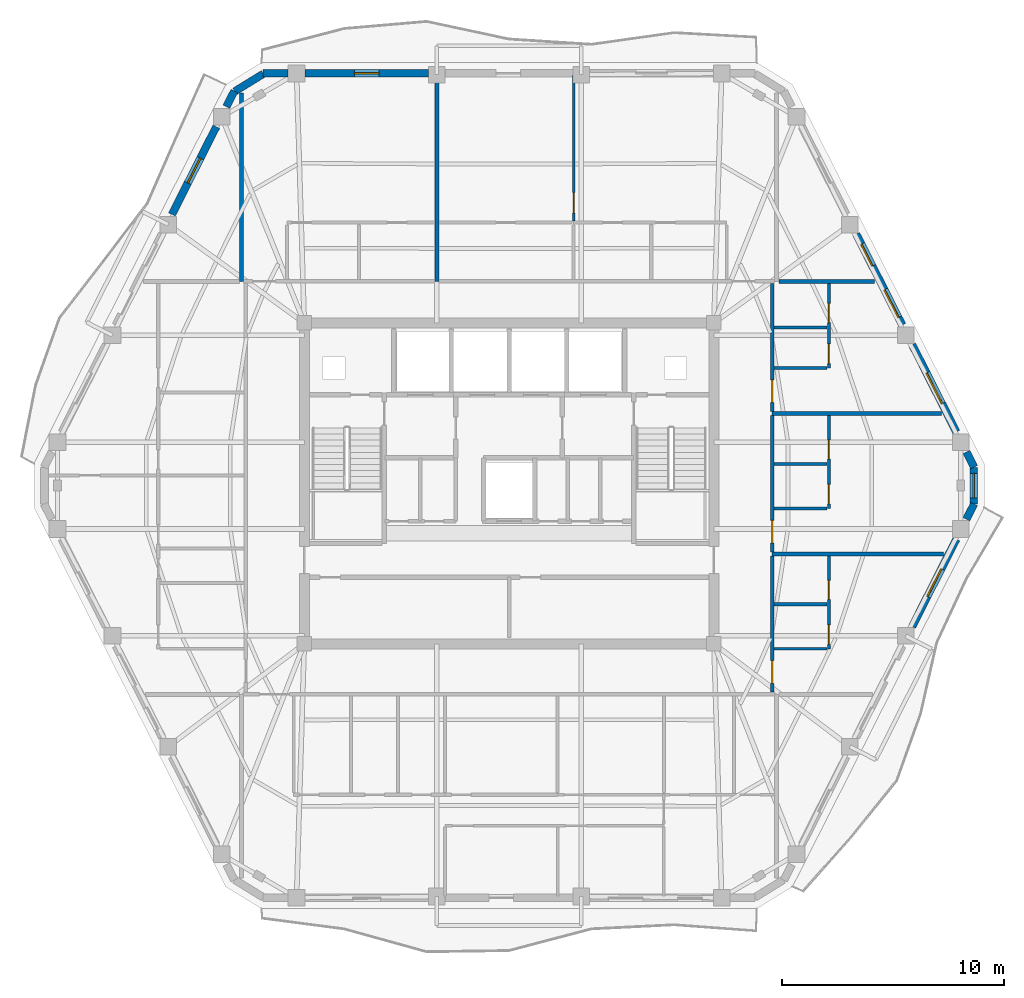
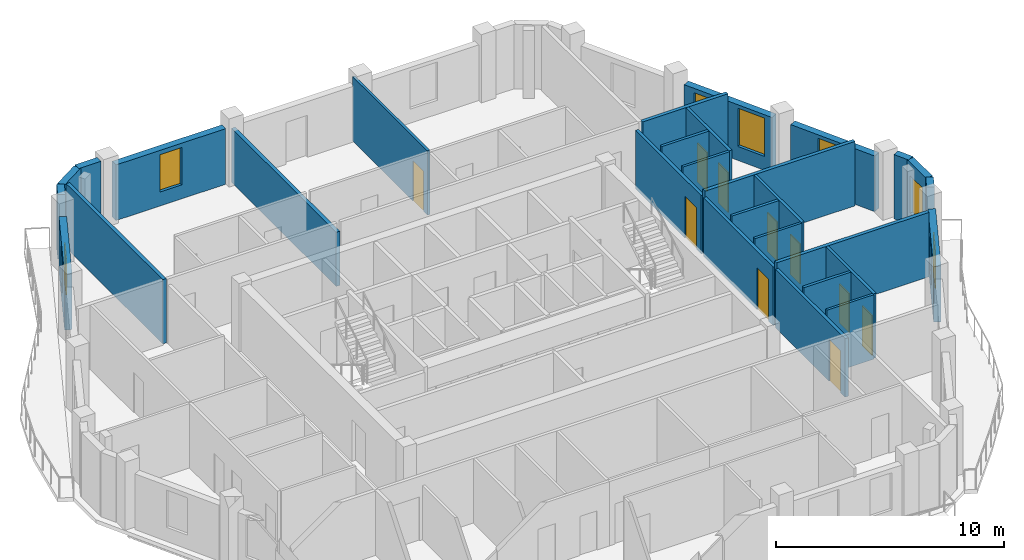
# One storey, part 7 of 11: 29 walls, 10 doors, 7 windows, 17 openings.
"""IFC4 building model written with IfcOpenShell, lengths in metres."""

from ifc_helpers import new_model, si_unit, direction, frame, frame_2d, origin, place, context, subcontext, project, spatial, rectangle, extrude, material, layer, layer_set, type_object, element, fill, save


model = new_model("IFC4")

# Units and contexts
model_context = context("Model", 3, precision=1e-05, world=origin(), true_north=direction((0.0, 1.0)))
body_context = subcontext(model_context, "Body", "Model", "MODEL_VIEW")
ifc_project = project(units=[si_unit("LENGTHUNIT", "METRE"), si_unit("AREAUNIT", "SQUARE_METRE"), si_unit("VOLUMEUNIT", "CUBIC_METRE"), si_unit("PLANEANGLEUNIT", "RADIAN"), si_unit("MASSUNIT", "GRAM", prefix="KILO")], contexts=[model_context])

# Site, building, storey
site_placement = place(None, origin())
site = spatial("IfcSite", under=ifc_project, at=site_placement, CompositionType="ELEMENT")
building_placement = place(site_placement, origin())
building = spatial("IfcBuilding", under=site, at=building_placement, Name="Cinnabar Lancet Tower", CompositionType="ELEMENT")
storey_placement = place(building_placement, frame((0.0, 0.0, 248.89990234375)))
storey = spatial("IfcBuildingStorey", under=building, at=storey_placement, Name="L66", CompositionType="ELEMENT", Elevation=248.89990234375)

# Wall, opening, door
ifc_material_1 = material(Name="Acoustic twin-stud gypsum partition", Category="gypsum")
ifc_layer_1 = layer(ifc_material_1, 0.159912109375)
ifc_layer_set_1 = layer_set([ifc_layer_1], Name="Acoustic twin-stud gypsum partition")
wall_type_1 = type_object("IfcWallType", Name="ARC-WL-CORR-160", PredefinedType="PARTITIONING", material=ifc_layer_set_1)
wall_1_placement = place(storey_placement, frame((44.25, 16.4951171875, 0.0), z_axis=(0.0, 0.0, 1.0), x_axis=(0.0, 1.0, 0.0)))
wall_1 = element("IfcWall", 1, at=wall_1_placement, inside=storey, type_object=wall_type_1, Name="UW-L66-E01-COR", PredefinedType="PARTITIONING", context=body_context, shape_type="SweptSolid", body=[
    extrude(rectangle(XDim=6.1337890625, YDim=0.159912109375, at=frame_2d((3.06689453125, 0.0))), origin(), (0.0, 0.0, 1.0), 3.13720703125),
])
opening_1_placement = place(wall_1_placement, frame((0.39990234375, 0.0, 0.0)))
opening_1 = element("IfcOpeningElement", 2, at=opening_1_placement, cuts=wall_1, Name="Opening UD-01", PredefinedType="OPENING", context=body_context, shape_type="SweptSolid", body=[
    extrude(rectangle(XDim=1.02001953125, YDim=2.25, at=frame_2d((0.510009765625, 1.125))), frame((0.0, 0.08984375, 0.0), z_axis=(0.0, -1.0, 0.0), x_axis=(1.0, 0.0, 0.0)), (0.0, 0.0, 1.0), 0.179931640625),
])
ifc_material_2 = material(Name="Solid timber fire-rated apartment entrance door", Category="wood")
door_type_1 = type_object("IfcDoorType", Name="ARC-DR-UNIT", OperationType="NOTDEFINED", PredefinedType="DOOR", material=ifc_material_2)
door_1_placement = place(opening_1_placement, origin())
door_1 = element("IfcDoor", 3, at=door_1_placement, inside=storey, type_object=door_type_1, Name="DR-L66-E01-ENT", OperationType="SINGLE_SWING_RIGHT", OverallHeight=2.25, OverallWidth=1.02001953125, PredefinedType="DOOR", context=body_context, shape_type="SweptSolid", body=[
    extrude(rectangle(XDim=1.02001953125, YDim=2.25, at=frame_2d((0.510009765625, 1.125))), frame((0.0, 0.02490234375, 0.0), z_axis=(0.0, -1.0, 0.0), x_axis=(1.0, 0.0, 0.0)), (0.0, 0.0, 1.0), 0.050048828125),
])
fill(opening_1, door_1)

wall_2_placement = place(storey_placement, frame((44.25, 22.819091796875, 0.0), z_axis=(0.0, 0.0, 1.0), x_axis=(0.0, 1.0, 0.0)))
wall_2 = element("IfcWall", 4, at=wall_2_placement, inside=storey, type_object=wall_type_1, Name="UW-L66-E02-COR", PredefinedType="PARTITIONING", context=body_context, shape_type="SweptSolid", body=[
    extrude(rectangle(XDim=6.1337890625, YDim=0.159912109375, at=frame_2d((3.06689453125, 0.0))), origin(), (0.0, 0.0, 1.0), 3.13720703125),
])
opening_2_placement = place(wall_2_placement, frame((0.39990234375, 0.0, 0.0)))
opening_2 = element("IfcOpeningElement", 5, at=opening_2_placement, cuts=wall_2, Name="Opening UD-01", PredefinedType="OPENING", context=body_context, shape_type="SweptSolid", body=[
    extrude(rectangle(XDim=1.02001953125, YDim=2.25, at=frame_2d((0.510009765625, 1.125))), frame((0.0, 0.08984375, 0.0), z_axis=(0.0, -1.0, 0.0), x_axis=(1.0, 0.0, 0.0)), (0.0, 0.0, 1.0), 0.179931640625),
])
door_2_placement = place(opening_2_placement, origin())
door_2 = element("IfcDoor", 6, at=door_2_placement, inside=storey, type_object=door_type_1, Name="DR-L66-E02-ENT", OperationType="SINGLE_SWING_LEFT", OverallHeight=2.25, OverallWidth=1.02001953125, PredefinedType="DOOR", context=body_context, shape_type="SweptSolid", body=[
    extrude(rectangle(XDim=1.02001953125, YDim=2.25, at=frame_2d((0.510009765625, 1.125))), frame((0.0, 0.02490234375, 0.0), z_axis=(0.0, -1.0, 0.0), x_axis=(1.0, 0.0, 0.0)), (0.0, 0.0, 1.0), 0.050048828125),
])
fill(opening_2, door_2)

wall_3_placement = place(storey_placement, frame((44.25, 29.14306640625, 0.0), z_axis=(0.0, 0.0, 1.0), x_axis=(0.0, 1.0, 0.0)))
wall_3 = element("IfcWall", 7, at=wall_3_placement, inside=storey, type_object=wall_type_1, Name="UW-L66-E03-COR", PredefinedType="PARTITIONING", context=body_context, shape_type="SweptSolid", body=[
    extrude(rectangle(XDim=5.761962890625, YDim=0.159912109375, at=frame_2d((2.880859375, 0.0))), origin(), (0.0, 0.0, 1.0), 3.13720703125),
])
opening_3_placement = place(wall_3_placement, frame((0.39990234375, 0.0, 0.0)))
opening_3 = element("IfcOpeningElement", 8, at=opening_3_placement, cuts=wall_3, Name="Opening UD-01", PredefinedType="OPENING", context=body_context, shape_type="SweptSolid", body=[
    extrude(rectangle(XDim=1.02001953125, YDim=2.25, at=frame_2d((0.510009765625, 1.125))), frame((0.0, 0.08984375, 0.0), z_axis=(0.0, -1.0, 0.0), x_axis=(1.0, 0.0, 0.0)), (0.0, 0.0, 1.0), 0.179931640625),
])
door_3_placement = place(opening_3_placement, origin())
door_3 = element("IfcDoor", 9, at=door_3_placement, inside=storey, type_object=door_type_1, Name="DR-L66-E03-ENT", OperationType="SINGLE_SWING_RIGHT", OverallHeight=2.25, OverallWidth=1.02001953125, PredefinedType="DOOR", context=body_context, shape_type="SweptSolid", body=[
    extrude(rectangle(XDim=1.02001953125, YDim=2.25, at=frame_2d((0.510009765625, 1.125))), frame((0.0, 0.02490234375, 0.0), z_axis=(0.0, -1.0, 0.0), x_axis=(1.0, 0.0, 0.0)), (0.0, 0.0, 1.0), 0.050048828125),
])
fill(opening_3, door_3)

# Walls
ifc_material_3 = material(Name="Fire-rated twin-frame acoustic drywall", Category="gypsum")
ifc_layer_2 = layer(ifc_material_3, 0.179931640625)
ifc_layer_set_2 = layer_set([ifc_layer_2], Name="Fire-rated twin-frame acoustic drywall")
wall_type_2 = type_object("IfcWallType", Name="ARC-WL-PARTY-180", PredefinedType="PARTITIONING", material=ifc_layer_set_2)
wall_4_placement = place(storey_placement, frame((20.35009765625, 35.0, 0.0), z_axis=(0.0, 0.0, 1.0), x_axis=(0.0, 1.0, 0.0)))
element("IfcWall", 10, at=wall_4_placement, inside=storey, type_object=wall_type_2, Name="PW-L66-NPTY-204", PredefinedType="PARTITIONING", context=body_context, shape_type="SweptSolid", body=[
    extrude(rectangle(XDim=8.48095703125, YDim=0.179931640625, at=frame_2d((4.240478515625, 0.0))), origin(), (0.0, 0.0, 1.0), 3.4501953125),
])
wall_5_placement = place(storey_placement, frame((29.14599609375, 35.0, 0.0), z_axis=(0.0, 0.0, 1.0), x_axis=(0.0, 1.0, 0.0)))
element("IfcWall", 11, at=wall_5_placement, inside=storey, type_object=wall_type_2, Name="PW-L66-NPTY-291", PredefinedType="PARTITIONING", context=body_context, shape_type="SweptSolid", body=[
    extrude(rectangle(XDim=9.195068359375, YDim=0.179931640625, at=frame_2d((4.59765625, 0.0))), origin(), (0.0, 0.0, 1.0), 2.906982421875),
])
wall_6_placement = place(storey_placement, frame((44.544921875, 35.0, 0.0), z_axis=(0.0, 0.0, 1.0), x_axis=(1.0, 0.0, 0.0)))
element("IfcWall", 12, at=wall_6_placement, inside=storey, type_object=wall_type_2, Name="PW-L66-ENB", PredefinedType="PARTITIONING", context=body_context, shape_type="SweptSolid", body=[
    extrude(rectangle(XDim=4.322021484375, YDim=0.179931640625, at=frame_2d((2.1611328125, 0.0))), origin(), (0.0, 0.0, 1.0), 3.4501953125),
])
wall_7_placement = place(storey_placement, frame((44.25, 22.72412109375, 0.0), z_axis=(0.0, 0.0, 1.0), x_axis=(1.0, 0.0, 0.0)))
element("IfcWall", 13, at=wall_7_placement, inside=storey, type_object=wall_type_2, Name="PW-L66-EPTY-1", PredefinedType="PARTITIONING", context=body_context, shape_type="SweptSolid", body=[
    extrude(rectangle(XDim=7.714111328125, YDim=0.179931640625, at=frame_2d((3.85693359375, 0.0))), origin(), (0.0, 0.0, 1.0), 3.4501953125),
])
wall_8_placement = place(storey_placement, frame((44.25, 29.048095703125, 0.0), z_axis=(0.0, 0.0, 1.0), x_axis=(1.0, 0.0, 0.0)))
element("IfcWall", 14, at=wall_8_placement, inside=storey, type_object=wall_type_2, Name="PW-L66-EPTY-2", PredefinedType="PARTITIONING", context=body_context, shape_type="SweptSolid", body=[
    extrude(rectangle(XDim=7.626953125, YDim=0.179931640625, at=frame_2d((3.8134765625, 0.0))), origin(), (0.0, 0.0, 1.0), 3.4501953125),
])

# Wall, opening, door
ifc_material_4 = material(Name="Gypsum plasterboard stud partition", Category="gypsum")
ifc_layer_3 = layer(ifc_material_4, 0.125)
ifc_layer_set_3 = layer_set([ifc_layer_3], Name="Gypsum plasterboard stud partition")
wall_type_3 = type_object("IfcWallType", Name="ARC-WL-UNIT-125", PredefinedType="PARTITIONING", material=ifc_layer_set_3)
wall_9_placement = place(storey_placement, frame((35.30810546875, 37.72509765625, 0.0), z_axis=(0.0, 0.0, 1.0), x_axis=(0.0, 1.0, 0.0)))
wall_9 = element("IfcWall", 15, at=wall_9_placement, inside=storey, type_object=wall_type_3, Name="UW-L66-N02-MBW", PredefinedType="PARTITIONING", context=body_context, shape_type="SweptSolid", body=[
    extrude(rectangle(XDim=6.559814453125, YDim=0.125, at=frame_2d((3.27978515625, 0.0))), origin(), (0.0, 0.0, 1.0), 3.4501953125),
])
opening_4_placement = place(wall_9_placement, frame((0.35009765625, 0.0, 0.0)))
opening_4 = element("IfcOpeningElement", 16, at=opening_4_placement, cuts=wall_9, Name="Opening RD-01", PredefinedType="OPENING", context=body_context, shape_type="SweptSolid", body=[
    extrude(rectangle(XDim=0.919921875, YDim=2.14990234375, at=frame_2d((0.4599609375, 1.074951171875))), frame((0.0, 0.072509765625, 0.0), z_axis=(0.0, -1.0, 0.0), x_axis=(1.0, 0.0, 0.0)), (0.0, 0.0, 1.0), 0.14501953125),
])
ifc_material_5 = material(Name="Engineered timber bedroom door", Category="wood")
door_type_2 = type_object("IfcDoorType", Name="ARC-DR-ROOM", OperationType="NOTDEFINED", PredefinedType="DOOR", material=ifc_material_5)
door_4_placement = place(opening_4_placement, origin())
door_4 = element("IfcDoor", 17, at=door_4_placement, inside=storey, type_object=door_type_2, Name="DR-L66-N02-MBD", OperationType="SINGLE_SWING_RIGHT", OverallHeight=2.14990234375, OverallWidth=0.919921875, PredefinedType="DOOR", context=body_context, shape_type="SweptSolid", body=[
    extrude(rectangle(XDim=0.919921875, YDim=2.14990234375, at=frame_2d((0.4599609375, 1.074951171875))), frame((0.0, 0.02490234375, 0.0), z_axis=(0.0, -1.0, 0.0), x_axis=(1.0, 0.0, 0.0)), (0.0, 0.0, 1.0), 0.050048828125),
])
fill(opening_4, door_4)

# Walls
for number, where, z_axis, x_axis, name in (
    (18, (44.3349609375, 18.449951171875, 0.0), (0.0, 0.0, 1.0), (1.0, 0.0, 0.0), "UW-L66-E01-FOYN"),
    (19, (44.3349609375, 24.77392578125, 0.0), (0.0, 0.0, 1.0), (1.0, 0.0, 0.0), "UW-L66-E02-FOYN"),
    (20, (44.3349609375, 31.097900390625, 0.0), (0.0, 0.0, 1.0), (1.0, 0.0, 0.0), "UW-L66-E03-FOYN"),
):
    element("IfcWall", number, at=place(storey_placement, frame(where, z_axis=z_axis, x_axis=x_axis)), inside=storey, type_object=wall_type_3, Name=name, PredefinedType="PARTITIONING", context=body_context, shape_type="SweptSolid", body=[
        extrude(rectangle(XDim=2.380126953125, YDim=0.125, at=frame_2d((1.18994140625, 0.0))), origin(), (0.0, 0.0, 1.0), 3.4501953125),
    ])

# Wall, openings, doors
ifc_material_6 = material(Name="Moisture-resistant cement-board plumbing wall", Category="masonry")
ifc_layer_4 = layer(ifc_material_6, 0.139892578125)
ifc_layer_set_4 = layer_set([ifc_layer_4], Name="Moisture-resistant cement-board plumbing wall")
wall_type_4 = type_object("IfcWallType", Name="ARC-WL-WET-140", PredefinedType="PLUMBINGWALL", material=ifc_layer_set_4)
wall_10_placement = place(storey_placement, frame((46.800048828125, 18.449951171875, 0.0), z_axis=(0.0, 0.0, 1.0), x_axis=(0.0, 1.0, 0.0)))
wall_10 = element("IfcWall", 21, at=wall_10_placement, inside=storey, type_object=wall_type_4, Name="UW-L66-E01-SPL", PredefinedType="PLUMBINGWALL", context=body_context, shape_type="SweptSolid", body=[
    extrude(rectangle(XDim=4.178955078125, YDim=0.139892578125, at=frame_2d((2.08935546875, 0.0))), origin(), (0.0, 0.0, 1.0), 3.4501953125),
])
opening_5_placement = place(wall_10_placement, frame((2.22607421875, 0.0, 0.0)))
opening_5 = element("IfcOpeningElement", 22, at=opening_5_placement, cuts=wall_10, Name="Opening BD-01", PredefinedType="OPENING", context=body_context, shape_type="SweptSolid", body=[
    extrude(rectangle(XDim=0.860107421875, YDim=2.10009765625, at=frame_2d((0.43017578125, 1.050048828125))), frame((0.0, 0.079833984375, 0.0), z_axis=(0.0, -1.0, 0.0), x_axis=(1.0, 0.0, 0.0)), (0.0, 0.0, 1.0), 0.159912109375),
])
opening_6_placement = place(wall_10_placement, frame((0.199951171875, 0.0, 0.0)))
opening_6 = element("IfcOpeningElement", 23, at=opening_6_placement, cuts=wall_10, Name="Opening RD-02", PredefinedType="OPENING", context=body_context, shape_type="SweptSolid", body=[
    extrude(rectangle(XDim=0.8798828125, YDim=2.14990234375, at=frame_2d((0.43994140625, 1.074951171875))), frame((0.0, 0.079833984375, 0.0), z_axis=(0.0, -1.0, 0.0), x_axis=(1.0, 0.0, 0.0)), (0.0, 0.0, 1.0), 0.159912109375),
])
ifc_material_7 = material(Name="Moisture-resistant timber bathroom door", Category="wood")
door_type_3 = type_object("IfcDoorType", Name="ARC-DR-BATH", OperationType="NOTDEFINED", PredefinedType="DOOR", material=ifc_material_7)
door_5_placement = place(opening_5_placement, origin())
door_5 = element("IfcDoor", 24, at=door_5_placement, inside=storey, type_object=door_type_3, Name="DR-L66-E01-BTH", OperationType="SINGLE_SWING_RIGHT", OverallHeight=2.10009765625, OverallWidth=0.860107421875, PredefinedType="DOOR", context=body_context, shape_type="SweptSolid", body=[
    extrude(rectangle(XDim=0.860107421875, YDim=2.10009765625, at=frame_2d((0.43017578125, 1.050048828125))), frame((0.0, 0.02490234375, 0.0), z_axis=(0.0, -1.0, 0.0), x_axis=(1.0, 0.0, 0.0)), (0.0, 0.0, 1.0), 0.050048828125),
])
fill(opening_5, door_5)
ifc_material_8 = material(Name="Engineered timber study door", Category="wood")
door_type_4 = type_object("IfcDoorType", Name="ARC-DR-STUDY", OperationType="NOTDEFINED", PredefinedType="DOOR", material=ifc_material_8)
door_6_placement = place(opening_6_placement, origin())
door_6 = element("IfcDoor", 25, at=door_6_placement, inside=storey, type_object=door_type_4, Name="DR-L66-E01-KIT", OperationType="SINGLE_SWING_LEFT", OverallHeight=2.14990234375, OverallWidth=0.8798828125, PredefinedType="DOOR", context=body_context, shape_type="SweptSolid", body=[
    extrude(rectangle(XDim=0.8798828125, YDim=2.14990234375, at=frame_2d((0.43994140625, 1.074951171875))), frame((0.0, 0.02490234375, 0.0), z_axis=(0.0, -1.0, 0.0), x_axis=(1.0, 0.0, 0.0)), (0.0, 0.0, 1.0), 0.050048828125),
])
fill(opening_6, door_6)

# Wall
wall_11_placement = place(storey_placement, frame((44.3349609375, 20.4560546875, 0.0), z_axis=(0.0, 0.0, 1.0), x_axis=(1.0, 0.0, 0.0)))
element("IfcWall", 26, at=wall_11_placement, inside=storey, type_object=wall_type_4, Name="UW-L66-E01-KDV", PredefinedType="PLUMBINGWALL", context=body_context, shape_type="SweptSolid", body=[
    extrude(rectangle(XDim=2.380126953125, YDim=0.139892578125, at=frame_2d((1.18994140625, 0.0))), origin(), (0.0, 0.0, 1.0), 3.4501953125),
])

# Wall, openings, doors
wall_12_placement = place(storey_placement, frame((46.800048828125, 24.77392578125, 0.0), z_axis=(0.0, 0.0, 1.0), x_axis=(0.0, 1.0, 0.0)))
wall_12 = element("IfcWall", 27, at=wall_12_placement, inside=storey, type_object=wall_type_4, Name="UW-L66-E02-SPL", PredefinedType="PLUMBINGWALL", context=body_context, shape_type="SweptSolid", body=[
    extrude(rectangle(XDim=4.178955078125, YDim=0.139892578125, at=frame_2d((2.08935546875, 0.0))), origin(), (0.0, 0.0, 1.0), 3.4501953125),
])
opening_7_placement = place(wall_12_placement, frame((2.22607421875, 0.0, 0.0)))
opening_7 = element("IfcOpeningElement", 28, at=opening_7_placement, cuts=wall_12, Name="Opening BD-01", PredefinedType="OPENING", context=body_context, shape_type="SweptSolid", body=[
    extrude(rectangle(XDim=0.860107421875, YDim=2.10009765625, at=frame_2d((0.43017578125, 1.050048828125))), frame((0.0, 0.079833984375, 0.0), z_axis=(0.0, -1.0, 0.0), x_axis=(1.0, 0.0, 0.0)), (0.0, 0.0, 1.0), 0.159912109375),
])
opening_8_placement = place(wall_12_placement, frame((0.199951171875, 0.0, 0.0)))
opening_8 = element("IfcOpeningElement", 29, at=opening_8_placement, cuts=wall_12, Name="Opening RD-02", PredefinedType="OPENING", context=body_context, shape_type="SweptSolid", body=[
    extrude(rectangle(XDim=0.8798828125, YDim=2.14990234375, at=frame_2d((0.43994140625, 1.074951171875))), frame((0.0, 0.079833984375, 0.0), z_axis=(0.0, -1.0, 0.0), x_axis=(1.0, 0.0, 0.0)), (0.0, 0.0, 1.0), 0.159912109375),
])
door_7_placement = place(opening_7_placement, origin())
door_7 = element("IfcDoor", 30, at=door_7_placement, inside=storey, type_object=door_type_3, Name="DR-L66-E02-BTH", OperationType="SINGLE_SWING_LEFT", OverallHeight=2.10009765625, OverallWidth=0.860107421875, PredefinedType="DOOR", context=body_context, shape_type="SweptSolid", body=[
    extrude(rectangle(XDim=0.860107421875, YDim=2.10009765625, at=frame_2d((0.43017578125, 1.050048828125))), frame((0.0, 0.02490234375, 0.0), z_axis=(0.0, -1.0, 0.0), x_axis=(1.0, 0.0, 0.0)), (0.0, 0.0, 1.0), 0.050048828125),
])
fill(opening_7, door_7)
door_8_placement = place(opening_8_placement, origin())
door_8 = element("IfcDoor", 31, at=door_8_placement, inside=storey, type_object=door_type_4, Name="DR-L66-E02-KIT", OperationType="SINGLE_SWING_RIGHT", OverallHeight=2.14990234375, OverallWidth=0.8798828125, PredefinedType="DOOR", context=body_context, shape_type="SweptSolid", body=[
    extrude(rectangle(XDim=0.8798828125, YDim=2.14990234375, at=frame_2d((0.43994140625, 1.074951171875))), frame((0.0, 0.02490234375, 0.0), z_axis=(0.0, -1.0, 0.0), x_axis=(1.0, 0.0, 0.0)), (0.0, 0.0, 1.0), 0.050048828125),
])
fill(opening_8, door_8)

# Wall
wall_13_placement = place(storey_placement, frame((44.3349609375, 26.780029296875, 0.0), z_axis=(0.0, 0.0, 1.0), x_axis=(1.0, 0.0, 0.0)))
element("IfcWall", 32, at=wall_13_placement, inside=storey, type_object=wall_type_4, Name="UW-L66-E02-KDV", PredefinedType="PLUMBINGWALL", context=body_context, shape_type="SweptSolid", body=[
    extrude(rectangle(XDim=2.380126953125, YDim=0.139892578125, at=frame_2d((1.18994140625, 0.0))), origin(), (0.0, 0.0, 1.0), 3.4501953125),
])

# Wall, openings, doors
wall_14_placement = place(storey_placement, frame((46.800048828125, 31.097900390625, 0.0), z_axis=(0.0, 0.0, 1.0), x_axis=(0.0, 1.0, 0.0)))
wall_14 = element("IfcWall", 33, at=wall_14_placement, inside=storey, type_object=wall_type_4, Name="UW-L66-E03-SPL", PredefinedType="PLUMBINGWALL", context=body_context, shape_type="SweptSolid", body=[
    extrude(rectangle(XDim=3.80712890625, YDim=0.139892578125, at=frame_2d((1.903564453125, 0.0))), origin(), (0.0, 0.0, 1.0), 3.4501953125),
])
opening_9_placement = place(wall_14_placement, frame((2.047119140625, 0.0, 0.0)))
opening_9 = element("IfcOpeningElement", 34, at=opening_9_placement, cuts=wall_14, Name="Opening BD-01", PredefinedType="OPENING", context=body_context, shape_type="SweptSolid", body=[
    extrude(rectangle(XDim=0.860107421875, YDim=2.10009765625, at=frame_2d((0.43017578125, 1.050048828125))), frame((0.0, 0.079833984375, 0.0), z_axis=(0.0, -1.0, 0.0), x_axis=(1.0, 0.0, 0.0)), (0.0, 0.0, 1.0), 0.159912109375),
])
opening_10_placement = place(wall_14_placement, frame((0.199951171875, 0.0, 0.0)))
opening_10 = element("IfcOpeningElement", 35, at=opening_10_placement, cuts=wall_14, Name="Opening RD-02", PredefinedType="OPENING", context=body_context, shape_type="SweptSolid", body=[
    extrude(rectangle(XDim=0.8798828125, YDim=2.14990234375, at=frame_2d((0.43994140625, 1.074951171875))), frame((0.0, 0.079833984375, 0.0), z_axis=(0.0, -1.0, 0.0), x_axis=(1.0, 0.0, 0.0)), (0.0, 0.0, 1.0), 0.159912109375),
])
door_9_placement = place(opening_9_placement, origin())
door_9 = element("IfcDoor", 36, at=door_9_placement, inside=storey, type_object=door_type_3, Name="DR-L66-E03-BTH", OperationType="SINGLE_SWING_RIGHT", OverallHeight=2.10009765625, OverallWidth=0.860107421875, PredefinedType="DOOR", context=body_context, shape_type="SweptSolid", body=[
    extrude(rectangle(XDim=0.860107421875, YDim=2.10009765625, at=frame_2d((0.43017578125, 1.050048828125))), frame((0.0, 0.02490234375, 0.0), z_axis=(0.0, -1.0, 0.0), x_axis=(1.0, 0.0, 0.0)), (0.0, 0.0, 1.0), 0.050048828125),
])
fill(opening_9, door_9)
door_10_placement = place(opening_10_placement, origin())
door_10 = element("IfcDoor", 37, at=door_10_placement, inside=storey, type_object=door_type_4, Name="DR-L66-E03-KIT", OperationType="SINGLE_SWING_LEFT", OverallHeight=2.14990234375, OverallWidth=0.8798828125, PredefinedType="DOOR", context=body_context, shape_type="SweptSolid", body=[
    extrude(rectangle(XDim=0.8798828125, YDim=2.14990234375, at=frame_2d((0.43994140625, 1.074951171875))), frame((0.0, 0.02490234375, 0.0), z_axis=(0.0, -1.0, 0.0), x_axis=(1.0, 0.0, 0.0)), (0.0, 0.0, 1.0), 0.050048828125),
])
fill(opening_10, door_10)

# Wall
wall_15_placement = place(storey_placement, frame((44.3349609375, 32.925048828125, 0.0), z_axis=(0.0, 0.0, 1.0), x_axis=(1.0, 0.0, 0.0)))
element("IfcWall", 38, at=wall_15_placement, inside=storey, type_object=wall_type_4, Name="UW-L66-E03-KDV", PredefinedType="PLUMBINGWALL", context=body_context, shape_type="SweptSolid", body=[
    extrude(rectangle(XDim=2.380126953125, YDim=0.139892578125, at=frame_2d((1.18994140625, 0.0))), origin(), (0.0, 0.0, 1.0), 3.4501953125),
])

# Wall, opening, window
ifc_material_9 = material(Name="Cinnabar red clay brick", Category="masonry")
ifc_layer_5 = layer(ifc_material_9, 0.340087890625)
ifc_layer_set_5 = layer_set([ifc_layer_5], Name="Cinnabar red clay brick")
wall_type_5 = type_object("IfcWallType", Name="ENV-WL-BRK-RED-340", PredefinedType="STANDARD", material=ifc_layer_set_5)
wall_16_placement = place(storey_placement, frame((53.322998046875, 24.97998046875, 0.0), z_axis=(0.0, 0.0, 1.0), x_axis=(0.0, 1.0, 0.0)))
wall_16 = element("IfcWall", 39, at=wall_16_placement, inside=storey, type_object=wall_type_5, Name="L66 Chamfered Corner Brick Pier 3.1", PredefinedType="STANDARD", context=body_context, shape_type="SweptSolid", body=[
    extrude(rectangle(XDim=1.64013671875, YDim=0.340087890625, at=frame_2d((0.820068359375, 0.0))), origin(), (0.0, 0.0, 1.0), 3.4501953125),
])
opening_11_placement = place(wall_16_placement, frame((0.27001953125, 0.0, 0.75)))
opening_11 = element("IfcOpeningElement", 40, at=opening_11_placement, cuts=wall_16, Name="Opening WN-04", PredefinedType="OPENING", context=body_context, shape_type="SweptSolid", body=[
    extrude(rectangle(XDim=1.10009765625, YDim=2.0, at=frame_2d((0.550048828125, 1.0))), frame((0.0, 0.179931640625, 0.0), z_axis=(0.0, -1.0, 0.0), x_axis=(1.0, 0.0, 0.0)), (0.0, 0.0, 1.0), 0.360107421875),
])
ifc_material_10 = material(Name="Thermally broken bronze-anodized aluminium tall lancet window", Category="aluminium")
window_type_1 = type_object("IfcWindowType", Name="ENV-WN-LANCET-1100", PartitioningType="SINGLE_PANEL", PredefinedType="WINDOW", material=ifc_material_10)
window_1_placement = place(opening_11_placement, origin())
window_1 = element("IfcWindow", 41, at=window_1_placement, inside=storey, type_object=window_type_1, Name="L66 Dwelling Gothic Lancet Window 335", OverallHeight=2.0, OverallWidth=1.10009765625, PartitioningType="SINGLE_PANEL", PredefinedType="WINDOW", context=body_context, shape_type="SweptSolid", body=[
    extrude(rectangle(XDim=1.10009765625, YDim=2.0, at=frame_2d((0.550048828125, 1.0))), frame((0.0, 0.030029296875, 0.0), z_axis=(0.0, -1.0, 0.0), x_axis=(1.0, 0.0, 0.0)), (0.0, 0.0, 1.0), 0.06005859375),
])
fill(opening_11, window_1)

# Wall
wall_17_placement = place(storey_placement, frame((21.3310546875, 44.344970703125, 0.0), z_axis=(0.0, 0.0, 1.0), x_axis=(-0.851680557619, -0.52406128246, 0.0)))
element("IfcWall", 42, at=wall_17_placement, inside=storey, type_object=wall_type_5, Name="L66 Chamfered Corner Brick Pier 5.1", PredefinedType="STANDARD", context=body_context, shape_type="SweptSolid", body=[
    extrude(rectangle(XDim=1.507568359375, YDim=0.340087890625, at=frame_2d((0.75390625, 0.0))), origin(), (0.0, 0.0, 1.0), 3.4501953125),
])

# Wall, opening, window
wall_18_placement = place(storey_placement, frame((50.553955078125, 19.4560546875, 0.0), z_axis=(0.0, 0.0, 1.0), x_axis=(0.45130817501, 0.892368158984, 0.0)))
wall_18 = element("IfcWall", 43, at=wall_18_placement, inside=storey, type_object=wall_type_5, Name="L66 Face 2 Masonry Bay Wall 4", PredefinedType="STANDARD", context=body_context, shape_type="SweptSolid", body=[
    extrude(rectangle(XDim=4.4072265625, YDim=0.340087890625, at=frame_2d((2.20361328125, 0.0))), origin(), (0.0, 0.0, 1.0), 2.983154296875),
])
opening_12_placement = place(wall_18_placement, frame((1.50390625, 0.0, 0.75)))
opening_12 = element("IfcOpeningElement", 44, at=opening_12_placement, cuts=wall_18, Name="Opening WN-02", PredefinedType="OPENING", context=body_context, shape_type="SweptSolid", body=[
    extrude(rectangle(XDim=1.39990234375, YDim=2.050048828125, at=frame_2d((0.699951171875, 1.02490234375))), frame((0.0, 0.179931640625, 0.0), z_axis=(0.0, -1.0, 0.0), x_axis=(1.0, 0.0, 0.0)), (0.0, 0.0, 1.0), 0.360107421875),
])
ifc_material_11 = material(Name="Thermally broken bronze-anodized aluminium low-E double glazing", Category="aluminium")
window_type_2 = type_object("IfcWindowType", Name="ENV-WN-LANCET-1400", PartitioningType="SINGLE_PANEL", PredefinedType="WINDOW", material=ifc_material_11)
window_2_placement = place(opening_12_placement, origin())
window_2 = element("IfcWindow", 45, at=window_2_placement, inside=storey, type_object=window_type_2, Name="L66 Face 2 Gothic Lancet Window 4", OverallHeight=2.050048828125, OverallWidth=1.39990234375, PartitioningType="SINGLE_PANEL", PredefinedType="WINDOW", context=body_context, shape_type="SweptSolid", body=[
    extrude(rectangle(XDim=1.39990234375, YDim=2.050048828125, at=frame_2d((0.699951171875, 1.02490234375))), frame((0.0, 0.030029296875, 0.0), z_axis=(0.0, -1.0, 0.0), x_axis=(1.0, 0.0, 0.0)), (0.0, 0.0, 1.0), 0.06005859375),
])
fill(opening_12, window_2)

# Walls
for number, where, z_axis, x_axis, name in (
    (46, (52.99609375, 24.283935546875, 0.0), (0.0, 0.0, 1.0), (0.45075284655, 0.892648795063, 0.0), "L66 Face 2 Masonry Bay Wall 5"),
    (47, (53.343994140625, 26.626953125, 0.0), (0.0, 0.0, 1.0), (-0.45075284655, 0.892648795063, 0.0), "L66 Face 3 Masonry Bay Wall 1"),
):
    element("IfcWall", number, at=place(storey_placement, frame(where, z_axis=z_axis, x_axis=x_axis)), inside=storey, type_object=wall_type_5, Name=name, PredefinedType="STANDARD", context=body_context, shape_type="SweptSolid", body=[
        extrude(rectangle(XDim=0.771728515625, YDim=0.340087890625, at=frame_2d((0.3857421875, 0.0))), origin(), (0.0, 0.0, 1.0), 3.4501953125),
    ])

# Wall, opening, window
wall_19_placement = place(storey_placement, frame((52.54296875, 28.2109375, 0.0), z_axis=(0.0, 0.0, 1.0), x_axis=(-0.451285866323, 0.892379441077, 0.0)))
wall_19 = element("IfcWall", 48, at=wall_19_placement, inside=storey, type_object=wall_type_5, Name="L66 Face 3 Masonry Bay Wall 2", PredefinedType="STANDARD", context=body_context, shape_type="SweptSolid", body=[
    extrude(rectangle(XDim=4.407470703125, YDim=0.340087890625, at=frame_2d((2.20361328125, 0.0))), origin(), (0.0, 0.0, 1.0), 2.983154296875),
])
opening_13_placement = place(wall_19_placement, frame((1.428955078125, 0.0, 0.75)))
opening_13 = element("IfcOpeningElement", 49, at=opening_13_placement, cuts=wall_19, Name="Opening WN-01", PredefinedType="OPENING", context=body_context, shape_type="SweptSolid", body=[
    extrude(rectangle(XDim=1.550048828125, YDim=2.050048828125, at=frame_2d((0.77490234375, 1.02490234375))), frame((0.0, 0.179931640625, 0.0), z_axis=(0.0, -1.0, 0.0), x_axis=(1.0, 0.0, 0.0)), (0.0, 0.0, 1.0), 0.360107421875),
])
ifc_material_12 = material(Name="Thermally broken bronze-anodized aluminium low-E double glazing", Category="aluminium")
window_type_3 = type_object("IfcWindowType", Name="ENV-WN-LANCET-1550", PartitioningType="SINGLE_PANEL", PredefinedType="WINDOW", material=ifc_material_12)
window_3_placement = place(opening_13_placement, origin())
window_3 = element("IfcWindow", 50, at=window_3_placement, inside=storey, type_object=window_type_3, Name="L66 Face 3 Gothic Lancet Window 2", OverallHeight=2.050048828125, OverallWidth=1.550048828125, PartitioningType="SINGLE_PANEL", PredefinedType="WINDOW", context=body_context, shape_type="SweptSolid", body=[
    extrude(rectangle(XDim=1.550048828125, YDim=2.050048828125, at=frame_2d((0.77490234375, 1.02490234375))), frame((0.0, 0.030029296875, 0.0), z_axis=(0.0, -1.0, 0.0), x_axis=(1.0, 0.0, 0.0)), (0.0, 0.0, 1.0), 0.06005859375),
])
fill(opening_13, window_3)

# Wall, openings, windows
wall_20_placement = place(storey_placement, frame((50.10888671875, 33.02294921875, 0.0), z_axis=(0.0, 0.0, 1.0), x_axis=(-0.451539564999, 0.892251097641, 0.0)))
wall_20 = element("IfcWall", 51, at=wall_20_placement, inside=storey, type_object=wall_type_5, Name="L66 Face 3 Masonry Bay Wall 3", PredefinedType="STANDARD", context=body_context, shape_type="SweptSolid", body=[
    extrude(rectangle(XDim=4.599609375, YDim=0.340087890625, at=frame_2d((2.2998046875, 0.0))), origin(), (0.0, 0.0, 1.0), 2.983154296875),
])
opening_14_placement = place(wall_20_placement, frame((0.386962890625, 0.0, 0.75)))
opening_14 = element("IfcOpeningElement", 52, at=opening_14_placement, cuts=wall_20, Name="Opening WN-02", PredefinedType="OPENING", context=body_context, shape_type="SweptSolid", body=[
    extrude(rectangle(XDim=1.39990234375, YDim=2.050048828125, at=frame_2d((0.699951171875, 1.02490234375))), frame((0.0, 0.179931640625, 0.0), z_axis=(0.0, -1.0, 0.0), x_axis=(1.0, 0.0, 0.0)), (0.0, 0.0, 1.0), 0.360107421875),
])
opening_15_placement = place(wall_20_placement, frame((2.988037109375, 0.0, 0.75)))
opening_15 = element("IfcOpeningElement", 53, at=opening_15_placement, cuts=wall_20, Name="Opening WN-04", PredefinedType="OPENING", context=body_context, shape_type="SweptSolid", body=[
    extrude(rectangle(XDim=1.10009765625, YDim=2.0, at=frame_2d((0.550048828125, 1.0))), frame((0.0, 0.179931640625, 0.0), z_axis=(0.0, -1.0, 0.0), x_axis=(1.0, 0.0, 0.0)), (0.0, 0.0, 1.0), 0.360107421875),
])
window_4_placement = place(opening_15_placement, origin())
window_4 = element("IfcWindow", 54, at=window_4_placement, inside=storey, type_object=window_type_1, Name="L66 Split-Bay Gothic Lancet Window 235", OverallHeight=2.0, OverallWidth=1.10009765625, PartitioningType="SINGLE_PANEL", PredefinedType="WINDOW", context=body_context, shape_type="SweptSolid", body=[
    extrude(rectangle(XDim=1.10009765625, YDim=2.0, at=frame_2d((0.550048828125, 1.0))), frame((0.0, 0.030029296875, 0.0), z_axis=(0.0, -1.0, 0.0), x_axis=(1.0, 0.0, 0.0)), (0.0, 0.0, 1.0), 0.06005859375),
])
fill(opening_15, window_4)
window_5_placement = place(opening_14_placement, origin())
window_5 = element("IfcWindow", 55, at=window_5_placement, inside=storey, type_object=window_type_2, Name="L66 Face 3 Gothic Lancet Window 3", OverallHeight=2.050048828125, OverallWidth=1.39990234375, PartitioningType="SINGLE_PANEL", PredefinedType="WINDOW", context=body_context, shape_type="SweptSolid", body=[
    extrude(rectangle(XDim=1.39990234375, YDim=2.050048828125, at=frame_2d((0.699951171875, 1.02490234375))), frame((0.0, 0.030029296875, 0.0), z_axis=(0.0, -1.0, 0.0), x_axis=(1.0, 0.0, 0.0)), (0.0, 0.0, 1.0), 0.06005859375),
])
fill(opening_14, window_5)

# Wall, opening, window
wall_21_placement = place(storey_placement, frame((28.76708984375, 44.3701171875, 0.0), z_axis=(0.0, 0.0, 1.0), x_axis=(-1.0, 0.0, 0.0)))
wall_21 = element("IfcWall", 56, at=wall_21_placement, inside=storey, type_object=wall_type_5, Name="L66 Face 4 Masonry Bay Wall 4", PredefinedType="STANDARD", context=body_context, shape_type="SweptSolid", body=[
    extrude(rectangle(XDim=5.56005859375, YDim=0.340087890625, at=frame_2d((2.780029296875, 0.0))), origin(), (0.0, 0.0, 1.0), 2.983154296875),
])
opening_16_placement = place(wall_21_placement, frame((2.22998046875, 0.0, 0.75)))
opening_16 = element("IfcOpeningElement", 57, at=opening_16_placement, cuts=wall_21, Name="Opening WN-04", PredefinedType="OPENING", context=body_context, shape_type="SweptSolid", body=[
    extrude(rectangle(XDim=1.10009765625, YDim=2.0, at=frame_2d((0.550048828125, 1.0))), frame((0.0, 0.179931640625, 0.0), z_axis=(0.0, -1.0, 0.0), x_axis=(1.0, 0.0, 0.0)), (0.0, 0.0, 1.0), 0.360107421875),
])
window_6_placement = place(opening_16_placement, origin())
window_6 = element("IfcWindow", 58, at=window_6_placement, inside=storey, type_object=window_type_1, Name="L66 Face 4 Gothic Lancet Window 4", OverallHeight=2.0, OverallWidth=1.10009765625, PartitioningType="SINGLE_PANEL", PredefinedType="WINDOW", context=body_context, shape_type="SweptSolid", body=[
    extrude(rectangle(XDim=1.10009765625, YDim=2.0, at=frame_2d((0.550048828125, 1.0))), frame((0.0, 0.030029296875, 0.0), z_axis=(0.0, -1.0, 0.0), x_axis=(1.0, 0.0, 0.0)), (0.0, 0.0, 1.0), 0.06005859375),
])
fill(opening_16, window_6)

# Walls
wall_22_placement = place(storey_placement, frame((22.448974609375, 44.3701171875, 0.0), z_axis=(0.0, 0.0, 1.0), x_axis=(-1.0, 0.0, 0.0)))
element("IfcWall", 59, at=wall_22_placement, inside=storey, type_object=wall_type_5, Name="L66 Face 4 Masonry Bay Wall 5", PredefinedType="STANDARD", context=body_context, shape_type="SweptSolid", body=[
    extrude(rectangle(XDim=1.123046875, YDim=0.340087890625, at=frame_2d((0.5615234375, 0.0))), origin(), (0.0, 0.0, 1.0), 3.4501953125),
])
wall_23_placement = place(storey_placement, frame((20.027099609375, 43.571044921875, 0.0), z_axis=(0.0, 0.0, 1.0), x_axis=(-0.451404919072, -0.89231922485, 0.0)))
element("IfcWall", 60, at=wall_23_placement, inside=storey, type_object=wall_type_5, Name="L66 Face 5 Masonry Bay Wall 1", PredefinedType="STANDARD", context=body_context, shape_type="SweptSolid", body=[
    extrude(rectangle(XDim=0.791259765625, YDim=0.340087890625, at=frame_2d((0.3955078125, 0.0))), origin(), (0.0, 0.0, 1.0), 3.4501953125),
])

# Wall, opening, window
wall_24_placement = place(storey_placement, frame((19.214111328125, 41.962890625, 0.0), z_axis=(0.0, 0.0, 1.0), x_axis=(-0.451463046281, -0.89228981718, 0.0)))
wall_24 = element("IfcWall", 61, at=wall_24_placement, inside=storey, type_object=wall_type_5, Name="L66 Face 5 Masonry Bay Wall 2", PredefinedType="STANDARD", context=body_context, shape_type="SweptSolid", body=[
    extrude(rectangle(XDim=4.429931640625, YDim=0.340087890625, at=frame_2d((2.21484375, 0.0))), origin(), (0.0, 0.0, 1.0), 2.983154296875),
])
opening_17_placement = place(wall_24_placement, frame((1.590087890625, 0.0, 0.75)))
opening_17 = element("IfcOpeningElement", 62, at=opening_17_placement, cuts=wall_24, Name="Opening WN-03", PredefinedType="OPENING", context=body_context, shape_type="SweptSolid", body=[
    extrude(rectangle(XDim=1.25, YDim=1.949951171875, at=frame_2d((0.625, 0.97509765625))), frame((0.0, 0.179931640625, 0.0), z_axis=(0.0, -1.0, 0.0), x_axis=(1.0, 0.0, 0.0)), (0.0, 0.0, 1.0), 0.360107421875),
])
ifc_material_13 = material(Name="Thermally broken bronze-anodized aluminium low-E double glazing", Category="aluminium")
window_type_4 = type_object("IfcWindowType", Name="ENV-WN-LANCET-1250", PartitioningType="SINGLE_PANEL", PredefinedType="WINDOW", material=ifc_material_13)
window_7_placement = place(opening_17_placement, origin())
window_7 = element("IfcWindow", 63, at=window_7_placement, inside=storey, type_object=window_type_4, Name="L66 Face 5 Gothic Lancet Window 2", OverallHeight=1.949951171875, OverallWidth=1.25, PartitioningType="SINGLE_PANEL", PredefinedType="WINDOW", context=body_context, shape_type="SweptSolid", body=[
    extrude(rectangle(XDim=1.25, YDim=1.949951171875, at=frame_2d((0.625, 0.97509765625))), frame((0.0, 0.030029296875, 0.0), z_axis=(0.0, -1.0, 0.0), x_axis=(1.0, 0.0, 0.0)), (0.0, 0.0, 1.0), 0.06005859375),
])
fill(opening_17, window_7)

save(model, "model.ifc")
